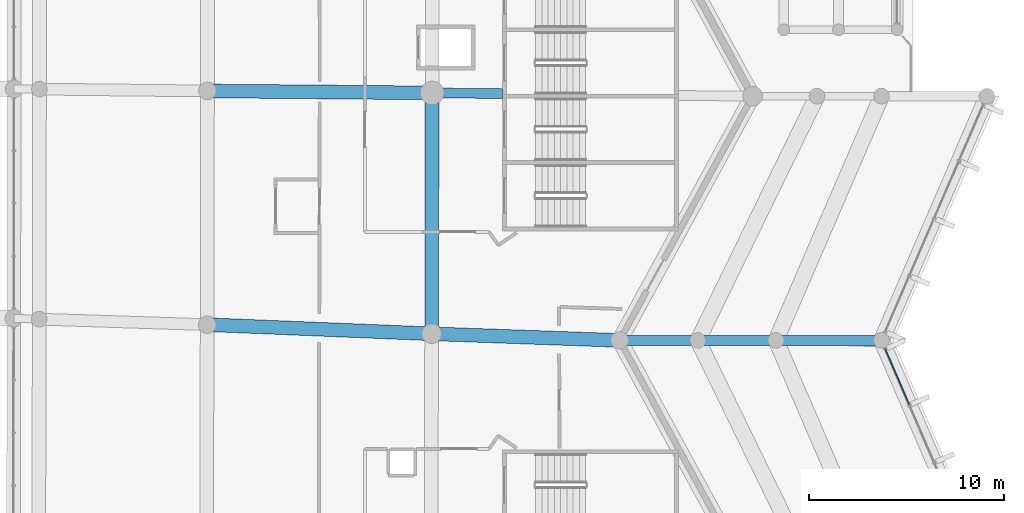
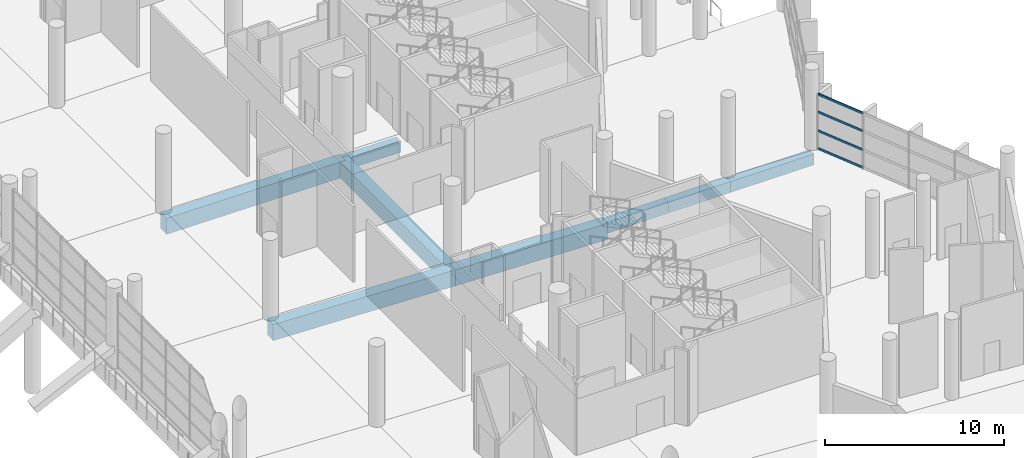
# One storey, part 63 of 271: 8 beams, 4 members, 1 element without a shape of its own.
"""IFC4 building model written with IfcOpenShell, lengths in metres."""

from ifc_helpers import new_model, si_unit, direction, frame, origin, origin_2d, place, context, subcontext, project, spatial, rectangle, extrude, material, layer, layer_set, material_profile, profile_set, type_object, element, aggregate, save


model = new_model("IFC4")

# Units and contexts
model_context = context("Model", 3, precision=1e-05, world=origin(), true_north=direction((0.0, 1.0)))
body_context = subcontext(model_context, "Body", "Model", "MODEL_VIEW")
ifc_project = project(units=[si_unit("LENGTHUNIT", "METRE"), si_unit("AREAUNIT", "SQUARE_METRE"), si_unit("VOLUMEUNIT", "CUBIC_METRE"), si_unit("PLANEANGLEUNIT", "RADIAN"), si_unit("MASSUNIT", "GRAM", prefix="KILO")], contexts=[model_context])

# Site, building, storey
site_placement = place(None, origin())
site = spatial("IfcSite", under=ifc_project, at=site_placement, CompositionType="ELEMENT")
building_placement = place(site_placement, origin())
building = spatial("IfcBuilding", under=site, at=building_placement, Name="Meseta Stadium", CompositionType="ELEMENT")
storey_placement = place(building_placement, frame((0.0, 0.0, 6.5)))
storey = spatial("IfcBuildingStorey", under=building, at=storey_placement, Name="L01", CompositionType="ELEMENT", Elevation=6.5)

# Beams
ifc_material_1 = material(Name="Concrete C40/50", Category="concrete")
ifc_material_profile_1 = material_profile(ifc_material_1, rectangle(XDim=0.5, YDim=0.75, at=origin_2d()), Name="RC 500x750")
ifc_profile_set_1 = profile_set([ifc_material_profile_1], Name="Concrete C40/50")
beam_type_1 = type_object("IfcBeamType", Name="RC beam 500x750", PredefinedType="BEAM", material=ifc_profile_set_1)
beam_1_placement = place(storey_placement, frame((84.99755859375, -6.081298828125, -0.72509765625), z_axis=(0.999946950007, -0.010300348089, 0.0), x_axis=(0.010300348089, 0.999946950007, 0.0)))
element("IfcBeam", 1, at=beam_1_placement, inside=storey, type_object=beam_type_1, Name="L01 radial beam frame 4 line P to R", PredefinedType="BEAM", context=body_context, shape_type="SweptSolid", body=[
    extrude(rectangle(XDim=0.5, YDim=0.75, at=origin_2d()), origin(), (0.0, 0.0, 1.0), 3.602783203125),
])
for number, where, z_axis, x_axis, name in (
    (2, (94.60009765625, -18.75, -0.72509765625), (1.0, 0.0, 0.0), (0.0, 1.0, 0.0), "L01 radial beam frame 3 line R to M"),
    (3, (98.60009765625, -18.75, -0.72509765625), (1.0, 0.0, 0.0), (0.0, 1.0, 0.0), "L01 radial beam frame 3 line M to Q"),
):
    element("IfcBeam", number, at=place(storey_placement, frame(where, z_axis=z_axis, x_axis=x_axis)), inside=storey, type_object=beam_type_1, Name=name, PredefinedType="BEAM", context=body_context, shape_type="SweptSolid", body=[
        extrude(rectangle(XDim=0.5, YDim=0.75, at=origin_2d()), origin(), (0.0, 0.0, 1.0), 4.0),
    ])
beam_2_placement = place(storey_placement, frame((102.60009765625, -18.75, -0.72509765625), z_axis=(1.0, 0.0, 0.0), x_axis=(0.0, 1.0, 0.0)))
element("IfcBeam", 4, at=beam_2_placement, inside=storey, type_object=beam_type_1, Name="L01 radial beam frame 3 line Q to O", PredefinedType="BEAM", context=body_context, shape_type="SweptSolid", body=[
    extrude(rectangle(XDim=0.5, YDim=0.75, at=origin_2d()), origin(), (0.0, 0.0, 1.0), 5.39990234375),
])
ifc_material_2 = material(Name="Concrete C40/50", Category="concrete")
ifc_material_profile_2 = material_profile(ifc_material_2, rectangle(XDim=0.699951171875, YDim=1.10009765625, at=origin_2d()), Name="RC 700x1100")
ifc_profile_set_2 = profile_set([ifc_material_profile_2], Name="Concrete C40/50")
beam_type_2 = type_object("IfcBeamType", Name="RC beam 700x1100", PredefinedType="BEAM", material=ifc_profile_set_2)
beam_3_placement = place(storey_placement, frame((84.97314453125, -18.41064453125, -0.89990234375), z_axis=(0.001980154927, 0.999998039491, 0.0), x_axis=(-0.999998039491, 0.001980154927, 0.0)))
element("IfcBeam", 5, at=beam_3_placement, inside=storey, type_object=beam_type_2, Name="L01 ring beam frame 3 line P", PredefinedType="BEAM", context=body_context, shape_type="SweptSolid", body=[
    extrude(rectangle(XDim=0.699951171875, YDim=1.10009765625, at=origin_2d()), origin(), (0.0, 0.0, 1.0), 12.329345703125),
])
beam_4_placement = place(storey_placement, frame((73.482421875, -17.943603515625, -0.89990234375), z_axis=(0.999175011921, -0.040611519947, 0.0), x_axis=(0.040611519947, 0.999175011921, 0.0)))
element("IfcBeam", 6, at=beam_4_placement, inside=storey, type_object=beam_type_2, Name="L01 radial beam frame 3 line E to P", PredefinedType="BEAM", context=body_context, shape_type="SweptSolid", body=[
    extrude(rectangle(XDim=0.699951171875, YDim=1.10009765625, at=origin_2d()), origin(), (0.0, 0.0, 1.0), 11.500244140625),
])
beam_5_placement = place(storey_placement, frame((84.97314453125, -18.41064453125, -0.89990234375), z_axis=(0.999379277506, -0.035228677108, 0.0), x_axis=(0.035228677108, 0.999379277506, 0.0)))
element("IfcBeam", 7, at=beam_5_placement, inside=storey, type_object=beam_type_2, Name="L01 radial beam frame 3 line P to R", PredefinedType="BEAM", context=body_context, shape_type="SweptSolid", body=[
    extrude(rectangle(XDim=0.699951171875, YDim=1.10009765625, at=origin_2d()), origin(), (0.0, 0.0, 1.0), 9.6328125),
])
beam_6_placement = place(storey_placement, frame((73.498046875, -5.981201171875, -0.89990234375), z_axis=(0.999962117874, -0.008704183863, 0.0), x_axis=(0.008704183863, 0.999962117874, 0.0)))
element("IfcBeam", 8, at=beam_6_placement, inside=storey, type_object=beam_type_2, Name="L01 radial beam frame 4 line E to P", PredefinedType="BEAM", context=body_context, shape_type="SweptSolid", body=[
    extrude(rectangle(XDim=0.699951171875, YDim=1.10009765625, at=origin_2d()), origin(), (0.0, 0.0, 1.0), 11.5),
])

# Curtain wall, members
ifc_material_3 = material(Name="Aluminium", Category="aluminium")
ifc_layer = layer(ifc_material_3, 0.199951171875)
ifc_layer_set = layer_set([ifc_layer], Name="Ring shopfront curtain wall")
curtain_wall_type = type_object("IfcCurtainWallType", Name="Ring shopfront curtain wall", PredefinedType="NOTDEFINED", material=ifc_layer_set)
curtain_wall_placement = place(storey_placement, origin())
curtain_wall = element("IfcCurtainWall", 9, at=curtain_wall_placement, inside=storey, type_object=curtain_wall_type, Name="Ring glazing L01 F02", PredefinedType="NOTDEFINED")
ifc_material_4 = material(Name="Aluminium", Category="aluminium")
ifc_material_profile_3 = material_profile(ifc_material_4, rectangle(XDim=0.06005859375, YDim=0.14990234375, at=origin_2d()), Name="CW 60x150")
ifc_profile_set_3 = profile_set([ifc_material_profile_3], Name="Aluminium")
member_type = type_object("IfcMemberType", Name="Ring CW transom 60x150", PredefinedType="USERDEFINED", material=ifc_profile_set_3)
member_1_placement = place(storey_placement, frame((109.41748046875, -22.031005859375, 0.074951171875), z_axis=(-0.396623730244, 0.917981272471, 0.0), x_axis=(-0.917981272471, -0.396623730244, 0.0)))
member_1 = element("IfcMember", 10, at=member_1_placement, type_object=member_type, Name="CWR1 transom 4.1", ObjectType="TRANSOM", PredefinedType="USERDEFINED", context=body_context, shape_type="SweptSolid", body=[
    extrude(rectangle(XDim=0.06005859375, YDim=0.14990234375, at=origin_2d()), origin(), (0.0, 0.0, 1.0), 3.114013671875),
])
member_2_placement = place(storey_placement, frame((109.41748046875, -22.031005859375, 1.283447265625), z_axis=(-0.396623730244, 0.917981272471, 0.0), x_axis=(-0.917981272471, -0.396623730244, 0.0)))
member_2 = element("IfcMember", 11, at=member_2_placement, type_object=member_type, Name="CWR1 transom 4.2", ObjectType="TRANSOM", PredefinedType="USERDEFINED", context=body_context, shape_type="SweptSolid", body=[
    extrude(rectangle(XDim=0.06005859375, YDim=0.14990234375, at=origin_2d()), origin(), (0.0, 0.0, 1.0), 3.114013671875),
])
member_3_placement = place(storey_placement, frame((109.41748046875, -22.031005859375, 2.566650390625), z_axis=(-0.396623730244, 0.917981272471, 0.0), x_axis=(-0.917981272471, -0.396623730244, 0.0)))
member_3 = element("IfcMember", 12, at=member_3_placement, type_object=member_type, Name="CWR1 transom 4.3", ObjectType="TRANSOM", PredefinedType="USERDEFINED", context=body_context, shape_type="SweptSolid", body=[
    extrude(rectangle(XDim=0.06005859375, YDim=0.14990234375, at=origin_2d()), origin(), (0.0, 0.0, 1.0), 3.114013671875),
])
member_4_placement = place(storey_placement, frame((109.41748046875, -22.031005859375, 3.77490234375), z_axis=(-0.396623730244, 0.917981272471, 0.0), x_axis=(-0.917981272471, -0.396623730244, 0.0)))
member_4 = element("IfcMember", 13, at=member_4_placement, type_object=member_type, Name="CWR1 transom 4.4", ObjectType="TRANSOM", PredefinedType="USERDEFINED", context=body_context, shape_type="SweptSolid", body=[
    extrude(rectangle(XDim=0.06005859375, YDim=0.14990234375, at=origin_2d()), origin(), (0.0, 0.0, 1.0), 3.114013671875),
])
aggregate(curtain_wall, [member_1, member_2, member_3, member_4])

save(model, "model.ifc")
